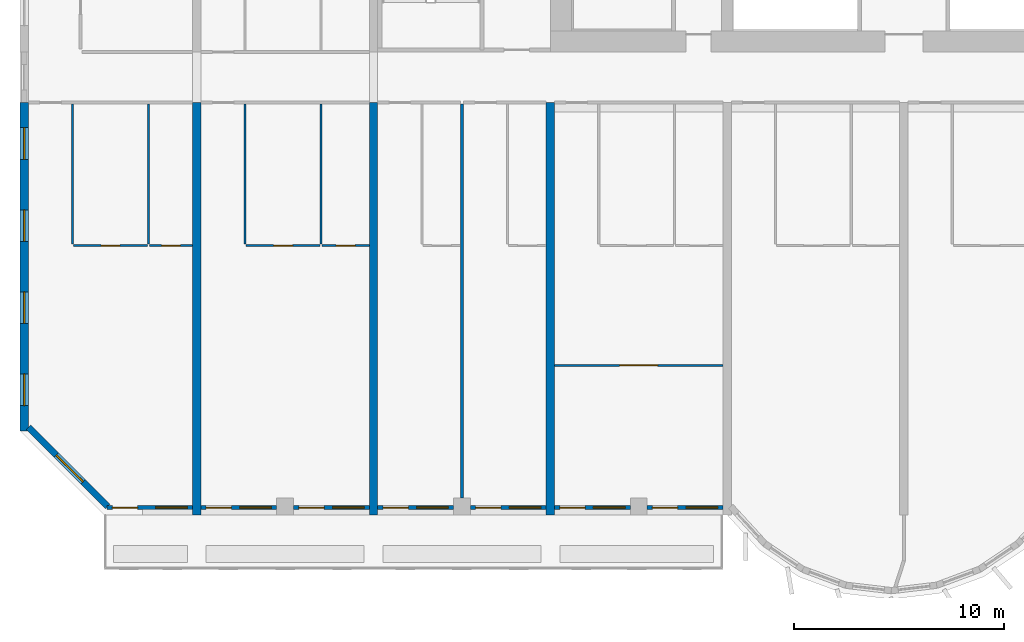
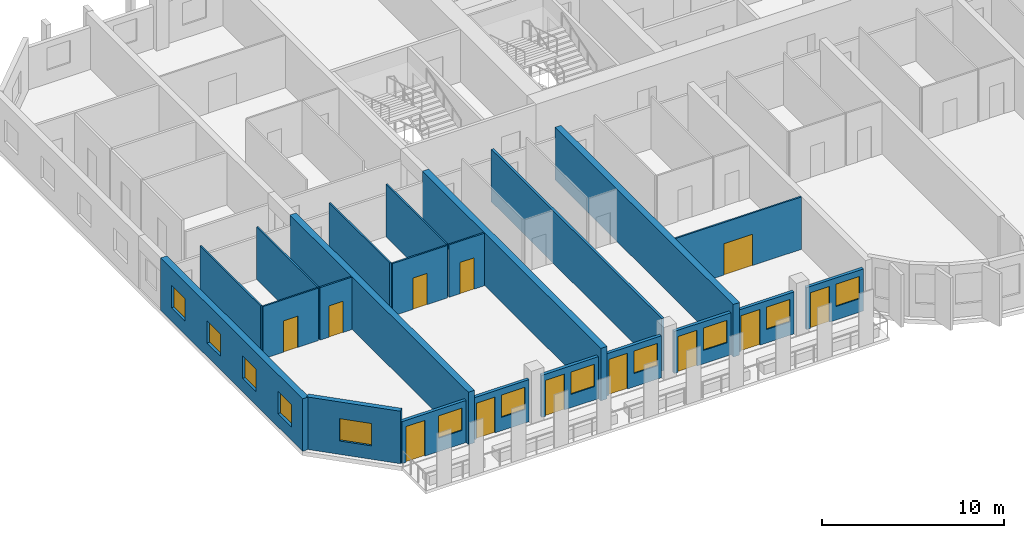
# One storey, part 2 of 15: 22 walls, 12 doors, 12 windows, 24 openings.
"""IFC4 building model written with IfcOpenShell, lengths in metres."""

from ifc_helpers import new_model, si_unit, direction, frame, frame_2d, origin, place, context, subcontext, project, spatial, rectangle, extrude, source, transform, mapped, material, layer, layer_set, type_object, element, fill, save


model = new_model("IFC4")

# Units and contexts
model_context = context("Model", 3, precision=1e-05, world=origin(), true_north=direction((0.0, 1.0)))
body_context = subcontext(model_context, "Body", "Model", "MODEL_VIEW")
ifc_project = project(units=[si_unit("LENGTHUNIT", "METRE"), si_unit("AREAUNIT", "SQUARE_METRE"), si_unit("VOLUMEUNIT", "CUBIC_METRE"), si_unit("PLANEANGLEUNIT", "RADIAN"), si_unit("MASSUNIT", "GRAM", prefix="KILO")], contexts=[model_context])

# Site, building, storey
site_placement = place(None, origin())
site = spatial("IfcSite", under=ifc_project, at=site_placement, CompositionType="ELEMENT")
building_placement = place(site_placement, origin())
building = spatial("IfcBuilding", under=site, at=building_placement, Name="Vanashikhar Sky Hotel", CompositionType="ELEMENT")
storey_placement = place(building_placement, frame((0.0, 0.0, 62.0)))
storey = spatial("IfcBuildingStorey", under=building, at=storey_placement, Name="L14", CompositionType="ELEMENT", Elevation=62.0)

# Wall, openings, windows
ifc_material_1 = material(Name="Concrete M80", Category="concrete")
ifc_layer_1 = layer(ifc_material_1, 0.39990234375)
ifc_layer_set_1 = layer_set([ifc_layer_1], Name="RC shear wall 400 Concrete M80")
wall_type_1 = type_object("IfcWallType", Name="RC shear wall 400 Concrete M80", PredefinedType="SHEAR", material=ifc_layer_set_1)
shared_shape_1 = source(origin(), body_context, "Body", "SweptSolid", [
    extrude(rectangle(XDim=15.60009765625, YDim=0.39990234375, at=frame_2d((7.800048828125, 0.0))), origin(), (0.0, 0.0, 1.0), 3.52001953125),
])
wall_1_placement = place(storey_placement, frame((0.199951171875, 4.0, 0.0), z_axis=(0.0, 0.0, 1.0), x_axis=(0.0, 1.0, 0.0)))
wall_1 = element("IfcWall", 1, at=wall_1_placement, inside=storey, type_object=wall_type_1, Name="CW-L14-XW01-1", PredefinedType="SHEAR", context=body_context, shape_type="MappedRepresentation", body=[
    mapped(shared_shape_1, transform((0.0, 0.0, 0.0), scale=1.0)),
])
shared_shape_2 = source(origin(), body_context, "Body", "SweptSolid", [
    extrude(rectangle(XDim=1.5, YDim=1.5, at=frame_2d((0.75, 0.75))), frame((0.0, 0.2099609375, 0.0), z_axis=(0.0, -1.0, 0.0), x_axis=(1.0, 0.0, 0.0)), (0.0, 0.0, 1.0), 0.419921875),
])
opening_1_placement = place(wall_1_placement, frame((1.199951171875, 0.0, 0.89990234375)))
opening_1 = element("IfcOpeningElement", 2, at=opening_1_placement, cuts=wall_1, Name="Opening WN-1", PredefinedType="OPENING", context=body_context, shape_type="MappedRepresentation", body=[
    mapped(shared_shape_2, transform((0.0, 0.0, 0.0), scale=1.0)),
])
opening_2_placement = place(wall_1_placement, frame((5.10009765625, 0.0, 0.89990234375)))
opening_2 = element("IfcOpeningElement", 3, at=opening_2_placement, cuts=wall_1, Name="Opening WN-1", PredefinedType="OPENING", context=body_context, shape_type="MappedRepresentation", body=[
    mapped(shared_shape_2, transform((0.0, 0.0, 0.0), scale=1.0)),
])
opening_3_placement = place(wall_1_placement, frame((9.0, 0.0, 0.89990234375)))
opening_3 = element("IfcOpeningElement", 4, at=opening_3_placement, cuts=wall_1, Name="Opening WN-1", PredefinedType="OPENING", context=body_context, shape_type="MappedRepresentation", body=[
    mapped(shared_shape_2, transform((0.0, 0.0, 0.0), scale=1.0)),
])
opening_4_placement = place(wall_1_placement, frame((12.89990234375, 0.0, 0.89990234375)))
opening_4 = element("IfcOpeningElement", 5, at=opening_4_placement, cuts=wall_1, Name="Opening WN-1", PredefinedType="OPENING", context=body_context, shape_type="MappedRepresentation", body=[
    mapped(shared_shape_2, transform((0.0, 0.0, 0.0), scale=1.0)),
])
ifc_material_2 = material(Name="Glass", Category="glass")
window_type_1 = type_object("IfcWindowType", Name="Window 1500 x 1500", PartitioningType="SINGLE_PANEL", PredefinedType="WINDOW", material=ifc_material_2)
shared_shape_3 = source(origin(), body_context, "Body", "SweptSolid", [
    extrude(rectangle(XDim=1.5, YDim=1.5, at=frame_2d((0.75, 0.75))), frame((0.0, 0.030029296875, 0.0), z_axis=(0.0, -1.0, 0.0), x_axis=(1.0, 0.0, 0.0)), (0.0, 0.0, 1.0), 0.06005859375),
])
window_1_placement = place(opening_1_placement, origin())
window_1 = element("IfcWindow", 6, at=window_1_placement, inside=storey, type_object=window_type_1, Name="Window WN-1", OverallHeight=1.5, OverallWidth=1.5, PartitioningType="SINGLE_PANEL", PredefinedType="WINDOW", context=body_context, shape_type="MappedRepresentation", body=[
    mapped(shared_shape_3, transform((0.0, 0.0, 0.0), scale=1.0)),
])
fill(opening_1, window_1)
window_2_placement = place(opening_2_placement, origin())
window_2 = element("IfcWindow", 7, at=window_2_placement, inside=storey, type_object=window_type_1, Name="Window WN-1", OverallHeight=1.5, OverallWidth=1.5, PartitioningType="SINGLE_PANEL", PredefinedType="WINDOW", context=body_context, shape_type="MappedRepresentation", body=[
    mapped(shared_shape_3, transform((0.0, 0.0, 0.0), scale=1.0)),
])
fill(opening_2, window_2)
window_3_placement = place(opening_3_placement, origin())
window_3 = element("IfcWindow", 8, at=window_3_placement, inside=storey, type_object=window_type_1, Name="Window WN-1", OverallHeight=1.5, OverallWidth=1.5, PartitioningType="SINGLE_PANEL", PredefinedType="WINDOW", context=body_context, shape_type="MappedRepresentation", body=[
    mapped(shared_shape_3, transform((0.0, 0.0, 0.0), scale=1.0)),
])
fill(opening_3, window_3)
window_4_placement = place(opening_4_placement, origin())
window_4 = element("IfcWindow", 9, at=window_4_placement, inside=storey, type_object=window_type_1, Name="Window WN-1", OverallHeight=1.5, OverallWidth=1.5, PartitioningType="SINGLE_PANEL", PredefinedType="WINDOW", context=body_context, shape_type="MappedRepresentation", body=[
    mapped(shared_shape_3, transform((0.0, 0.0, 0.0), scale=1.0)),
])
fill(opening_4, window_4)

# Walls
shared_shape_4 = source(origin(), body_context, "Body", "SweptSolid", [
    extrude(rectangle(XDim=19.60009765625, YDim=0.39990234375, at=frame_2d((9.800048828125, 0.0))), origin(), (0.0, 0.0, 1.0), 3.52001953125),
])
for number, where, z_axis, x_axis, name in (
    (10, (8.39990234375, 0.0, 0.0), (0.0, 0.0, 1.0), (0.0, 1.0, 0.0), "CW-L14-XW02-1"),
    (11, (16.800048828125, 0.0, 0.0), (0.0, 0.0, 1.0), (0.0, 1.0, 0.0), "CW-L14-XW03-1"),
    (12, (25.199951171875, 0.0, 0.0), (0.0, 0.0, 1.0), (0.0, 1.0, 0.0), "CW-L14-XW04-1"),
):
    element("IfcWall", number, at=place(storey_placement, frame(where, z_axis=z_axis, x_axis=x_axis)), inside=storey, type_object=wall_type_1, Name=name, PredefinedType="SHEAR", context=body_context, shape_type="MappedRepresentation", body=[
        mapped(shared_shape_4, transform((0.0, 0.0, 0.0), scale=1.0)),
    ])

# Wall, opening, window
ifc_material_3 = material(Name="Concrete M50", Category="concrete")
ifc_layer_2 = layer(ifc_material_3, 0.300048828125)
ifc_layer_set_2 = layer_set([ifc_layer_2], Name="Lobe wall 300")
wall_type_2 = type_object("IfcWallType", Name="Lobe wall 300", PredefinedType="SOLIDWALL", material=ifc_layer_set_2)
shared_shape_5 = source(origin(), body_context, "Body", "SweptSolid", [
    extrude(rectangle(XDim=5.32568359375, YDim=0.300048828125, at=frame_2d((2.662841796875, 0.0))), origin(), (0.0, 0.0, 1.0), 3.52001953125),
])
wall_2_placement = place(storey_placement, frame((0.39990234375, 4.165771484375, 0.0), z_axis=(0.0, 0.0, 1.0), x_axis=(0.707106781187, -0.707106781187, 0.0)))
wall_2 = element("IfcWall", 13, at=wall_2_placement, inside=storey, type_object=wall_type_2, Name="Corner wall", PredefinedType="SOLIDWALL", context=body_context, shape_type="MappedRepresentation", body=[
    mapped(shared_shape_5, transform((0.0, 0.0, 0.0), scale=1.0)),
])
shared_shape_6 = source(origin(), body_context, "Body", "SweptSolid", [
    extrude(rectangle(XDim=1.800048828125, YDim=1.5, at=frame_2d((0.89990234375, 0.75))), frame((0.0, 0.16015625, 0.0), z_axis=(0.0, -1.0, 0.0), x_axis=(1.0, 0.0, 0.0)), (0.0, 0.0, 1.0), 0.320068359375),
])
opening_5_placement = place(wall_2_placement, frame((1.871337890625, 0.0, 0.89990234375)))
opening_5 = element("IfcOpeningElement", 14, at=opening_5_placement, cuts=wall_2, Name="Opening WN-4", PredefinedType="OPENING", context=body_context, shape_type="MappedRepresentation", body=[
    mapped(shared_shape_6, transform((0.0, 0.0, 0.0), scale=1.0)),
])
window_type_2 = type_object("IfcWindowType", Name="Corner window 1800 x 1500", PartitioningType="SINGLE_PANEL", PredefinedType="WINDOW", material=ifc_material_2)
shared_shape_7 = source(origin(), body_context, "Body", "SweptSolid", [
    extrude(rectangle(XDim=1.800048828125, YDim=1.5, at=frame_2d((0.89990234375, 0.75))), frame((0.0, 0.030029296875, 0.0), z_axis=(0.0, -1.0, 0.0), x_axis=(1.0, 0.0, 0.0)), (0.0, 0.0, 1.0), 0.06005859375),
])
window_5_placement = place(opening_5_placement, origin())
window_5 = element("IfcWindow", 15, at=window_5_placement, inside=storey, type_object=window_type_2, Name="Window WN-4", OverallHeight=1.5, OverallWidth=1.800048828125, PartitioningType="SINGLE_PANEL", PredefinedType="WINDOW", context=body_context, shape_type="MappedRepresentation", body=[
    mapped(shared_shape_7, transform((0.0, 0.0, 0.0), scale=1.0)),
])
fill(opening_5, window_5)

# Wall, openings, window, door
ifc_layer_3 = layer(ifc_material_3, 0.199951171875)
ifc_layer_set_3 = layer_set([ifc_layer_3], Name="Front window wall 200")
wall_type_3 = type_object("IfcWallType", Name="Front window wall 200", PredefinedType="SOLIDWALL", material=ifc_layer_set_3)
shared_shape_8 = source(origin(), body_context, "Body", "SweptSolid", [
    extrude(rectangle(XDim=4.054931640625, YDim=0.199951171875, at=frame_2d((2.02734375, 0.0))), origin(), (0.0, 0.0, 1.0), 2.820068359375),
])
wall_3_placement = place(storey_placement, frame((4.14501953125, 0.35009765625, 0.0), z_axis=(0.0, 0.0, 1.0), x_axis=(1.0, 0.0, 0.0)))
wall_3 = element("IfcWall", 16, at=wall_3_placement, inside=storey, type_object=wall_type_3, Name="Front window wall", PredefinedType="SOLIDWALL", context=body_context, shape_type="MappedRepresentation", body=[
    mapped(shared_shape_8, transform((0.0, 0.0, 0.0), scale=1.0)),
])
shared_shape_9 = source(origin(), body_context, "Body", "SweptSolid", [
    extrude(rectangle(XDim=1.199951171875, YDim=2.39990234375, at=frame_2d((0.60009765625, 1.199951171875))), frame((0.0, 0.10986328125, 0.0), z_axis=(0.0, -1.0, 0.0), x_axis=(1.0, 0.0, 0.0)), (0.0, 0.0, 1.0), 0.219970703125),
])
opening_6_placement = place(wall_3_placement, frame((0.25, 0.0, 0.0)))
opening_6 = element("IfcOpeningElement", 17, at=opening_6_placement, cuts=wall_3, Name="Opening BD-01", PredefinedType="OPENING", context=body_context, shape_type="MappedRepresentation", body=[
    mapped(shared_shape_9, transform((0.0, 0.0, 0.0), scale=1.0)),
])
shared_shape_10 = source(origin(), body_context, "Body", "SweptSolid", [
    extrude(rectangle(XDim=1.5, YDim=1.5, at=frame_2d((0.75, 0.75))), frame((0.0, 0.10986328125, 0.0), z_axis=(0.0, -1.0, 0.0), x_axis=(1.0, 0.0, 0.0)), (0.0, 0.0, 1.0), 0.219970703125),
])
opening_7_placement = place(wall_3_placement, frame((2.304931640625, 0.0, 0.89990234375)))
opening_7 = element("IfcOpeningElement", 18, at=opening_7_placement, cuts=wall_3, Name="Opening WN-1", PredefinedType="OPENING", context=body_context, shape_type="MappedRepresentation", body=[
    mapped(shared_shape_10, transform((0.0, 0.0, 0.0), scale=1.0)),
])
window_6_placement = place(opening_7_placement, origin())
window_6 = element("IfcWindow", 19, at=window_6_placement, inside=storey, type_object=window_type_1, Name="Window WN-1", OverallHeight=1.5, OverallWidth=1.5, PartitioningType="SINGLE_PANEL", PredefinedType="WINDOW", context=body_context, shape_type="MappedRepresentation", body=[
    mapped(shared_shape_3, transform((0.0, 0.0, 0.0), scale=1.0)),
])
fill(opening_7, window_6)
ifc_material_4 = material(Name="Aluminium", Category="aluminium")
door_type_1 = type_object("IfcDoorType", Name="Balcony sliding door 1200 x 2400", OperationType="NOTDEFINED", PredefinedType="DOOR", material=ifc_material_4)
shared_shape_11 = source(origin(), body_context, "Body", "SweptSolid", [
    extrude(rectangle(XDim=1.199951171875, YDim=2.39990234375, at=frame_2d((0.60009765625, 1.199951171875))), frame((0.0, 0.02490234375, 0.0), z_axis=(0.0, -1.0, 0.0), x_axis=(1.0, 0.0, 0.0)), (0.0, 0.0, 1.0), 0.050048828125),
])
door_1_placement = place(opening_6_placement, origin())
door_1 = element("IfcDoor", 20, at=door_1_placement, inside=storey, type_object=door_type_1, Name="Balcony sliding door", OperationType="SLIDING_TO_LEFT", OverallHeight=2.39990234375, OverallWidth=1.199951171875, PredefinedType="DOOR", context=body_context, shape_type="MappedRepresentation", body=[
    mapped(shared_shape_11, transform((0.0, 0.0, 0.0), scale=1.0)),
])
fill(opening_6, door_1)

shared_shape_12 = source(origin(), body_context, "Body", "SweptSolid", [
    extrude(rectangle(XDim=3.599853515625, YDim=0.199951171875, at=frame_2d((1.7998046875, 0.0))), origin(), (0.0, 0.0, 1.0), 2.820068359375),
])
wall_4_placement = place(storey_placement, frame((8.60009765625, 0.35009765625, 0.0), z_axis=(0.0, 0.0, 1.0), x_axis=(1.0, 0.0, 0.0)))
wall_4 = element("IfcWall", 21, at=wall_4_placement, inside=storey, type_object=wall_type_3, Name="Front window wall", PredefinedType="SOLIDWALL", context=body_context, shape_type="MappedRepresentation", body=[
    mapped(shared_shape_12, transform((0.0, 0.0, 0.0), scale=1.0)),
])
opening_8_placement = place(wall_4_placement, frame((0.25, 0.0, 0.0)))
opening_8 = element("IfcOpeningElement", 22, at=opening_8_placement, cuts=wall_4, Name="Opening BD-02", PredefinedType="OPENING", context=body_context, shape_type="MappedRepresentation", body=[
    mapped(shared_shape_9, transform((0.0, 0.0, 0.0), scale=1.0)),
])
opening_9_placement = place(wall_4_placement, frame((1.85009765625, 0.0, 0.89990234375)))
opening_9 = element("IfcOpeningElement", 23, at=opening_9_placement, cuts=wall_4, Name="Opening WN-1", PredefinedType="OPENING", context=body_context, shape_type="MappedRepresentation", body=[
    mapped(shared_shape_10, transform((0.0, 0.0, 0.0), scale=1.0)),
])
window_7_placement = place(opening_9_placement, origin())
window_7 = element("IfcWindow", 24, at=window_7_placement, inside=storey, type_object=window_type_1, Name="Window WN-1", OverallHeight=1.5, OverallWidth=1.5, PartitioningType="SINGLE_PANEL", PredefinedType="WINDOW", context=body_context, shape_type="MappedRepresentation", body=[
    mapped(shared_shape_3, transform((0.0, 0.0, 0.0), scale=1.0)),
])
fill(opening_9, window_7)
door_2_placement = place(opening_8_placement, origin())
door_2 = element("IfcDoor", 25, at=door_2_placement, inside=storey, type_object=door_type_1, Name="Balcony sliding door", OperationType="SLIDING_TO_RIGHT", OverallHeight=2.39990234375, OverallWidth=1.199951171875, PredefinedType="DOOR", context=body_context, shape_type="MappedRepresentation", body=[
    mapped(shared_shape_11, transform((0.0, 0.0, 0.0), scale=1.0)),
])
fill(opening_8, door_2)

wall_5_placement = place(storey_placement, frame((29.800048828125, 0.35009765625, 0.0), z_axis=(0.0, 0.0, 1.0), x_axis=(1.0, 0.0, 0.0)))
wall_5 = element("IfcWall", 26, at=wall_5_placement, inside=storey, type_object=wall_type_3, Name="Front window wall", PredefinedType="SOLIDWALL", context=body_context, shape_type="MappedRepresentation", body=[
    mapped(shared_shape_12, transform((0.0, 0.0, 0.0), scale=1.0)),
])
opening_10_placement = place(wall_5_placement, frame((0.25, 0.0, 0.0)))
opening_10 = element("IfcOpeningElement", 27, at=opening_10_placement, cuts=wall_5, Name="Opening BD-07", PredefinedType="OPENING", context=body_context, shape_type="MappedRepresentation", body=[
    mapped(shared_shape_9, transform((0.0, 0.0, 0.0), scale=1.0)),
])
opening_11_placement = place(wall_5_placement, frame((1.85009765625, 0.0, 0.89990234375)))
opening_11 = element("IfcOpeningElement", 28, at=opening_11_placement, cuts=wall_5, Name="Opening WN-1", PredefinedType="OPENING", context=body_context, shape_type="MappedRepresentation", body=[
    mapped(shared_shape_10, transform((0.0, 0.0, 0.0), scale=1.0)),
])
window_8_placement = place(opening_11_placement, origin())
window_8 = element("IfcWindow", 29, at=window_8_placement, inside=storey, type_object=window_type_1, Name="Window WN-1", OverallHeight=1.5, OverallWidth=1.5, PartitioningType="SINGLE_PANEL", PredefinedType="WINDOW", context=body_context, shape_type="MappedRepresentation", body=[
    mapped(shared_shape_3, transform((0.0, 0.0, 0.0), scale=1.0)),
])
fill(opening_11, window_8)
door_3_placement = place(opening_10_placement, origin())
door_3 = element("IfcDoor", 30, at=door_3_placement, inside=storey, type_object=door_type_1, Name="Balcony sliding door", OperationType="SLIDING_TO_LEFT", OverallHeight=2.39990234375, OverallWidth=1.199951171875, PredefinedType="DOOR", context=body_context, shape_type="MappedRepresentation", body=[
    mapped(shared_shape_11, transform((0.0, 0.0, 0.0), scale=1.0)),
])
fill(opening_10, door_3)

shared_shape_13 = source(origin(), body_context, "Body", "SweptSolid", [
    extrude(rectangle(XDim=3.60009765625, YDim=0.199951171875, at=frame_2d((1.800048828125, 0.0))), origin(), (0.0, 0.0, 1.0), 2.820068359375),
])
wall_6_placement = place(storey_placement, frame((13.0, 0.35009765625, 0.0), z_axis=(0.0, 0.0, 1.0), x_axis=(1.0, 0.0, 0.0)))
wall_6 = element("IfcWall", 31, at=wall_6_placement, inside=storey, type_object=wall_type_3, Name="Front window wall", PredefinedType="SOLIDWALL", context=body_context, shape_type="MappedRepresentation", body=[
    mapped(shared_shape_13, transform((0.0, 0.0, 0.0), scale=1.0)),
])
opening_12_placement = place(wall_6_placement, frame((0.25, 0.0, 0.0)))
opening_12 = element("IfcOpeningElement", 32, at=opening_12_placement, cuts=wall_6, Name="Opening BD-03", PredefinedType="OPENING", context=body_context, shape_type="MappedRepresentation", body=[
    mapped(shared_shape_9, transform((0.0, 0.0, 0.0), scale=1.0)),
])
opening_13_placement = place(wall_6_placement, frame((1.85009765625, 0.0, 0.89990234375)))
opening_13 = element("IfcOpeningElement", 33, at=opening_13_placement, cuts=wall_6, Name="Opening WN-1", PredefinedType="OPENING", context=body_context, shape_type="MappedRepresentation", body=[
    mapped(shared_shape_10, transform((0.0, 0.0, 0.0), scale=1.0)),
])
window_9_placement = place(opening_13_placement, origin())
window_9 = element("IfcWindow", 34, at=window_9_placement, inside=storey, type_object=window_type_1, Name="Window WN-1", OverallHeight=1.5, OverallWidth=1.5, PartitioningType="SINGLE_PANEL", PredefinedType="WINDOW", context=body_context, shape_type="MappedRepresentation", body=[
    mapped(shared_shape_3, transform((0.0, 0.0, 0.0), scale=1.0)),
])
fill(opening_13, window_9)
door_4_placement = place(opening_12_placement, origin())
door_4 = element("IfcDoor", 35, at=door_4_placement, inside=storey, type_object=door_type_1, Name="Balcony sliding door", OperationType="SLIDING_TO_LEFT", OverallHeight=2.39990234375, OverallWidth=1.199951171875, PredefinedType="DOOR", context=body_context, shape_type="MappedRepresentation", body=[
    mapped(shared_shape_11, transform((0.0, 0.0, 0.0), scale=1.0)),
])
fill(opening_12, door_4)

wall_7_placement = place(storey_placement, frame((17.0, 0.35009765625, 0.0), z_axis=(0.0, 0.0, 1.0), x_axis=(1.0, 0.0, 0.0)))
wall_7 = element("IfcWall", 36, at=wall_7_placement, inside=storey, type_object=wall_type_3, Name="Front window wall", PredefinedType="SOLIDWALL", context=body_context, shape_type="MappedRepresentation", body=[
    mapped(shared_shape_13, transform((0.0, 0.0, 0.0), scale=1.0)),
])
opening_14_placement = place(wall_7_placement, frame((0.25, 0.0, 0.0)))
opening_14 = element("IfcOpeningElement", 37, at=opening_14_placement, cuts=wall_7, Name="Opening BD-04", PredefinedType="OPENING", context=body_context, shape_type="MappedRepresentation", body=[
    mapped(shared_shape_9, transform((0.0, 0.0, 0.0), scale=1.0)),
])
opening_15_placement = place(wall_7_placement, frame((1.85009765625, 0.0, 0.89990234375)))
opening_15 = element("IfcOpeningElement", 38, at=opening_15_placement, cuts=wall_7, Name="Opening WN-1", PredefinedType="OPENING", context=body_context, shape_type="MappedRepresentation", body=[
    mapped(shared_shape_10, transform((0.0, 0.0, 0.0), scale=1.0)),
])
window_10_placement = place(opening_15_placement, origin())
window_10 = element("IfcWindow", 39, at=window_10_placement, inside=storey, type_object=window_type_1, Name="Window WN-1", OverallHeight=1.5, OverallWidth=1.5, PartitioningType="SINGLE_PANEL", PredefinedType="WINDOW", context=body_context, shape_type="MappedRepresentation", body=[
    mapped(shared_shape_3, transform((0.0, 0.0, 0.0), scale=1.0)),
])
fill(opening_15, window_10)
door_5_placement = place(opening_14_placement, origin())
door_5 = element("IfcDoor", 40, at=door_5_placement, inside=storey, type_object=door_type_1, Name="Balcony sliding door", OperationType="SLIDING_TO_RIGHT", OverallHeight=2.39990234375, OverallWidth=1.199951171875, PredefinedType="DOOR", context=body_context, shape_type="MappedRepresentation", body=[
    mapped(shared_shape_11, transform((0.0, 0.0, 0.0), scale=1.0)),
])
fill(opening_14, door_5)

wall_8_placement = place(storey_placement, frame((21.39990234375, 0.35009765625, 0.0), z_axis=(0.0, 0.0, 1.0), x_axis=(1.0, 0.0, 0.0)))
wall_8 = element("IfcWall", 41, at=wall_8_placement, inside=storey, type_object=wall_type_3, Name="Front window wall", PredefinedType="SOLIDWALL", context=body_context, shape_type="MappedRepresentation", body=[
    mapped(shared_shape_13, transform((0.0, 0.0, 0.0), scale=1.0)),
])
opening_16_placement = place(wall_8_placement, frame((0.25, 0.0, 0.0)))
opening_16 = element("IfcOpeningElement", 42, at=opening_16_placement, cuts=wall_8, Name="Opening BD-05", PredefinedType="OPENING", context=body_context, shape_type="MappedRepresentation", body=[
    mapped(shared_shape_9, transform((0.0, 0.0, 0.0), scale=1.0)),
])
opening_17_placement = place(wall_8_placement, frame((1.85009765625, 0.0, 0.89990234375)))
opening_17 = element("IfcOpeningElement", 43, at=opening_17_placement, cuts=wall_8, Name="Opening WN-1", PredefinedType="OPENING", context=body_context, shape_type="MappedRepresentation", body=[
    mapped(shared_shape_10, transform((0.0, 0.0, 0.0), scale=1.0)),
])
window_11_placement = place(opening_17_placement, origin())
window_11 = element("IfcWindow", 44, at=window_11_placement, inside=storey, type_object=window_type_1, Name="Window WN-1", OverallHeight=1.5, OverallWidth=1.5, PartitioningType="SINGLE_PANEL", PredefinedType="WINDOW", context=body_context, shape_type="MappedRepresentation", body=[
    mapped(shared_shape_3, transform((0.0, 0.0, 0.0), scale=1.0)),
])
fill(opening_17, window_11)
door_6_placement = place(opening_16_placement, origin())
door_6 = element("IfcDoor", 45, at=door_6_placement, inside=storey, type_object=door_type_1, Name="Balcony sliding door", OperationType="SLIDING_TO_LEFT", OverallHeight=2.39990234375, OverallWidth=1.199951171875, PredefinedType="DOOR", context=body_context, shape_type="MappedRepresentation", body=[
    mapped(shared_shape_11, transform((0.0, 0.0, 0.0), scale=1.0)),
])
fill(opening_16, door_6)

wall_9_placement = place(storey_placement, frame((25.39990234375, 0.35009765625, 0.0), z_axis=(0.0, 0.0, 1.0), x_axis=(1.0, 0.0, 0.0)))
wall_9 = element("IfcWall", 46, at=wall_9_placement, inside=storey, type_object=wall_type_3, Name="Front window wall", PredefinedType="SOLIDWALL", context=body_context, shape_type="MappedRepresentation", body=[
    mapped(shared_shape_13, transform((0.0, 0.0, 0.0), scale=1.0)),
])
opening_18_placement = place(wall_9_placement, frame((0.25, 0.0, 0.0)))
opening_18 = element("IfcOpeningElement", 47, at=opening_18_placement, cuts=wall_9, Name="Opening BD-06", PredefinedType="OPENING", context=body_context, shape_type="MappedRepresentation", body=[
    mapped(shared_shape_9, transform((0.0, 0.0, 0.0), scale=1.0)),
])
opening_19_placement = place(wall_9_placement, frame((1.85009765625, 0.0, 0.89990234375)))
opening_19 = element("IfcOpeningElement", 48, at=opening_19_placement, cuts=wall_9, Name="Opening WN-1", PredefinedType="OPENING", context=body_context, shape_type="MappedRepresentation", body=[
    mapped(shared_shape_10, transform((0.0, 0.0, 0.0), scale=1.0)),
])
window_12_placement = place(opening_19_placement, origin())
window_12 = element("IfcWindow", 49, at=window_12_placement, inside=storey, type_object=window_type_1, Name="Window WN-1", OverallHeight=1.5, OverallWidth=1.5, PartitioningType="SINGLE_PANEL", PredefinedType="WINDOW", context=body_context, shape_type="MappedRepresentation", body=[
    mapped(shared_shape_3, transform((0.0, 0.0, 0.0), scale=1.0)),
])
fill(opening_19, window_12)
door_7_placement = place(opening_18_placement, origin())
door_7 = element("IfcDoor", 50, at=door_7_placement, inside=storey, type_object=door_type_1, Name="Balcony sliding door", OperationType="SLIDING_TO_RIGHT", OverallHeight=2.39990234375, OverallWidth=1.199951171875, PredefinedType="DOOR", context=body_context, shape_type="MappedRepresentation", body=[
    mapped(shared_shape_11, transform((0.0, 0.0, 0.0), scale=1.0)),
])
fill(opening_18, door_7)

# Wall, opening, door
ifc_material_5 = material(Name="Gypsum plasterboard partition")
ifc_layer_4 = layer(ifc_material_5, 0.10009765625)
ifc_layer_set_4 = layer_set([ifc_layer_4], Name="Wet room partition 100")
wall_type_4 = type_object("IfcWallType", Name="Wet room partition 100", PredefinedType="PARTITIONING", material=ifc_layer_set_4)
shared_shape_14 = source(origin(), body_context, "Body", "SweptSolid", [
    extrude(rectangle(XDim=2.050048828125, YDim=0.10009765625, at=frame_2d((1.02490234375, 0.0))), origin(), (0.0, 0.0, 1.0), 3.52001953125),
])
wall_10_placement = place(storey_placement, frame((6.14990234375, 12.800048828125, 0.0), z_axis=(0.0, 0.0, 1.0), x_axis=(1.0, 0.0, 0.0)))
wall_10 = element("IfcWall", 51, at=wall_10_placement, inside=storey, type_object=wall_type_4, Name="W-L14-PW004", PredefinedType="PARTITIONING", context=body_context, shape_type="MappedRepresentation", body=[
    mapped(shared_shape_14, transform((0.0, 0.0, 0.0), scale=1.0)),
])
shared_shape_15 = source(origin(), body_context, "Body", "SweptSolid", [
    extrude(rectangle(XDim=0.89990234375, YDim=2.10009765625, at=frame_2d((0.449951171875, 1.050048828125))), frame((0.0, 0.06005859375, 0.0), z_axis=(0.0, -1.0, 0.0), x_axis=(1.0, 0.0, 0.0)), (0.0, 0.0, 1.0), 0.1201171875),
])
opening_20_placement = place(wall_10_placement, frame((0.574951171875, 0.0, 0.0)))
opening_20 = element("IfcOpeningElement", 52, at=opening_20_placement, cuts=wall_10, Name="Opening D-02", PredefinedType="OPENING", context=body_context, shape_type="MappedRepresentation", body=[
    mapped(shared_shape_15, transform((0.0, 0.0, 0.0), scale=1.0)),
])
ifc_material_6 = material(Name="Timber door", Category="wood")
door_type_2 = type_object("IfcDoorType", Name="Internal door 900", OperationType="NOTDEFINED", PredefinedType="DOOR", material=ifc_material_6)
shared_shape_16 = source(origin(), body_context, "Body", "SweptSolid", [
    extrude(rectangle(XDim=0.89990234375, YDim=2.10009765625, at=frame_2d((0.449951171875, 1.050048828125))), frame((0.0, 0.02490234375, 0.0), z_axis=(0.0, -1.0, 0.0), x_axis=(1.0, 0.0, 0.0)), (0.0, 0.0, 1.0), 0.050048828125),
])
door_8_placement = place(opening_20_placement, origin())
door_8 = element("IfcDoor", 53, at=door_8_placement, inside=storey, type_object=door_type_2, Name="D-L14-002", OperationType="SINGLE_SWING_LEFT", OverallHeight=2.10009765625, OverallWidth=0.89990234375, PredefinedType="DOOR", context=body_context, shape_type="MappedRepresentation", body=[
    mapped(shared_shape_16, transform((0.0, 0.0, 0.0), scale=1.0)),
])
fill(opening_20, door_8)

shared_shape_17 = source(origin(), body_context, "Body", "SweptSolid", [
    extrude(rectangle(XDim=3.5, YDim=0.10009765625, at=frame_2d((1.75, 0.0))), origin(), (0.0, 0.0, 1.0), 3.52001953125),
])
wall_11_placement = place(storey_placement, frame((2.550048828125, 12.800048828125, 0.0), z_axis=(0.0, 0.0, 1.0), x_axis=(1.0, 0.0, 0.0)))
wall_11 = element("IfcWall", 54, at=wall_11_placement, inside=storey, type_object=wall_type_4, Name="W-L14-PW003", PredefinedType="PARTITIONING", context=body_context, shape_type="MappedRepresentation", body=[
    mapped(shared_shape_17, transform((0.0, 0.0, 0.0), scale=1.0)),
])
opening_21_placement = place(wall_11_placement, frame((1.300048828125, 0.0, 0.0)))
opening_21 = element("IfcOpeningElement", 55, at=opening_21_placement, cuts=wall_11, Name="Opening D-02", PredefinedType="OPENING", context=body_context, shape_type="MappedRepresentation", body=[
    mapped(shared_shape_15, transform((0.0, 0.0, 0.0), scale=1.0)),
])
door_9_placement = place(opening_21_placement, origin())
door_9 = element("IfcDoor", 56, at=door_9_placement, inside=storey, type_object=door_type_2, Name="D-L14-001", OperationType="SINGLE_SWING_LEFT", OverallHeight=2.10009765625, OverallWidth=0.89990234375, PredefinedType="DOOR", context=body_context, shape_type="MappedRepresentation", body=[
    mapped(shared_shape_16, transform((0.0, 0.0, 0.0), scale=1.0)),
])
fill(opening_21, door_9)

wall_12_placement = place(storey_placement, frame((10.75, 12.800048828125, 0.0), z_axis=(0.0, 0.0, 1.0), x_axis=(1.0, 0.0, 0.0)))
wall_12 = element("IfcWall", 57, at=wall_12_placement, inside=storey, type_object=wall_type_4, Name="W-L14-PW008", PredefinedType="PARTITIONING", context=body_context, shape_type="MappedRepresentation", body=[
    mapped(shared_shape_17, transform((0.0, 0.0, 0.0), scale=1.0)),
])
opening_22_placement = place(wall_12_placement, frame((1.300048828125, 0.0, 0.0)))
opening_22 = element("IfcOpeningElement", 58, at=opening_22_placement, cuts=wall_12, Name="Opening D-02", PredefinedType="OPENING", context=body_context, shape_type="MappedRepresentation", body=[
    mapped(shared_shape_15, transform((0.0, 0.0, 0.0), scale=1.0)),
])
door_10_placement = place(opening_22_placement, origin())
door_10 = element("IfcDoor", 59, at=door_10_placement, inside=storey, type_object=door_type_2, Name="D-L14-004", OperationType="SINGLE_SWING_LEFT", OverallHeight=2.10009765625, OverallWidth=0.89990234375, PredefinedType="DOOR", context=body_context, shape_type="MappedRepresentation", body=[
    mapped(shared_shape_16, transform((0.0, 0.0, 0.0), scale=1.0)),
])
fill(opening_22, door_10)

# Wall
ifc_layer_5 = layer(ifc_material_5, 0.14990234375)
ifc_layer_set_5 = layer_set([ifc_layer_5], Name="Corridor and demising partition 150")
wall_type_5 = type_object("IfcWallType", Name="Corridor and demising partition 150", PredefinedType="PARTITIONING", material=ifc_layer_set_5)
shared_shape_18 = source(origin(), body_context, "Body", "SweptSolid", [
    extrude(rectangle(XDim=18.724853515625, YDim=0.14990234375, at=frame_2d((9.3623046875, 0.0))), origin(), (0.0, 0.0, 1.0), 3.52001953125),
])
wall_13_placement = place(storey_placement, frame((21.0, 0.800048828125, 0.0), z_axis=(0.0, 0.0, 1.0), x_axis=(0.0, 1.0, 0.0)))
element("IfcWall", 60, at=wall_13_placement, inside=storey, type_object=wall_type_5, Name="W-L14-PW017", PredefinedType="PARTITIONING", context=body_context, shape_type="MappedRepresentation", body=[
    mapped(shared_shape_18, transform((0.0, 0.0, 0.0), scale=1.0)),
])

# Wall, opening, door
shared_shape_19 = source(origin(), body_context, "Body", "SweptSolid", [
    extrude(rectangle(XDim=8.0, YDim=0.10009765625, at=frame_2d((4.0, 0.0))), origin(), (0.0, 0.0, 1.0), 3.52001953125),
])
wall_14_placement = place(storey_placement, frame((25.39990234375, 7.10791015625, 0.0), z_axis=(0.0, 0.0, 1.0), x_axis=(1.0, 0.0, 0.0)))
wall_14 = element("IfcWall", 61, at=wall_14_placement, inside=storey, type_object=wall_type_4, Name="W-L14-PW022", PredefinedType="PARTITIONING", context=body_context, shape_type="MappedRepresentation", body=[
    mapped(shared_shape_19, transform((0.0, 0.0, 0.0), scale=1.0)),
])
shared_shape_20 = source(origin(), body_context, "Body", "SweptSolid", [
    extrude(rectangle(XDim=1.800048828125, YDim=2.10009765625, at=frame_2d((0.89990234375, 1.050048828125))), frame((0.0, 0.06005859375, 0.0), z_axis=(0.0, -1.0, 0.0), x_axis=(1.0, 0.0, 0.0)), (0.0, 0.0, 1.0), 0.1201171875),
])
opening_23_placement = place(wall_14_placement, frame((3.10009765625, 0.0, 0.0)))
opening_23 = element("IfcOpeningElement", 62, at=opening_23_placement, cuts=wall_14, Name="Opening D-08", PredefinedType="OPENING", context=body_context, shape_type="MappedRepresentation", body=[
    mapped(shared_shape_20, transform((0.0, 0.0, 0.0), scale=1.0)),
])
door_type_3 = type_object("IfcDoorType", Name="Double leaf door 1800", OperationType="NOTDEFINED", PredefinedType="DOOR", material=ifc_material_6)
shared_shape_21 = source(origin(), body_context, "Body", "SweptSolid", [
    extrude(rectangle(XDim=1.800048828125, YDim=2.10009765625, at=frame_2d((0.89990234375, 1.050048828125))), frame((0.0, 0.02490234375, 0.0), z_axis=(0.0, -1.0, 0.0), x_axis=(1.0, 0.0, 0.0)), (0.0, 0.0, 1.0), 0.050048828125),
])
door_11_placement = place(opening_23_placement, origin())
door_11 = element("IfcDoor", 63, at=door_11_placement, inside=storey, type_object=door_type_3, Name="D-L14-013", OperationType="DOUBLE_DOOR_SINGLE_SWING", OverallHeight=2.10009765625, OverallWidth=1.800048828125, PredefinedType="DOOR", context=body_context, shape_type="MappedRepresentation", body=[
    mapped(shared_shape_21, transform((0.0, 0.0, 0.0), scale=1.0)),
])
fill(opening_23, door_11)

# Walls
shared_shape_22 = source(origin(), body_context, "Body", "SweptSolid", [
    extrude(rectangle(XDim=6.64990234375, YDim=0.10009765625, at=frame_2d((3.324951171875, 0.0))), origin(), (0.0, 0.0, 1.0), 3.52001953125),
])
for number, where, z_axis, x_axis, name in (
    (64, (2.5, 12.875, 0.0), (0.0, 0.0, 1.0), (0.0, 1.0, 0.0), "W-L14-PW001"),
    (65, (6.10009765625, 12.875, 0.0), (0.0, 0.0, 1.0), (0.0, 1.0, 0.0), "W-L14-PW002"),
    (66, (10.699951171875, 12.875, 0.0), (0.0, 0.0, 1.0), (0.0, 1.0, 0.0), "W-L14-PW006"),
    (67, (14.300048828125, 12.875, 0.0), (0.0, 0.0, 1.0), (0.0, 1.0, 0.0), "W-L14-PW007"),
):
    element("IfcWall", number, at=place(storey_placement, frame(where, z_axis=z_axis, x_axis=x_axis)), inside=storey, type_object=wall_type_4, Name=name, PredefinedType="PARTITIONING", context=body_context, shape_type="MappedRepresentation", body=[
        mapped(shared_shape_22, transform((0.0, 0.0, 0.0), scale=1.0)),
    ])

# Wall, opening, door
shared_shape_23 = source(origin(), body_context, "Body", "SweptSolid", [
    extrude(rectangle(XDim=2.25, YDim=0.10009765625, at=frame_2d((1.125, 0.0))), origin(), (0.0, 0.0, 1.0), 3.52001953125),
])
wall_15_placement = place(storey_placement, frame((14.35009765625, 12.800048828125, 0.0), z_axis=(0.0, 0.0, 1.0), x_axis=(1.0, 0.0, 0.0)))
wall_15 = element("IfcWall", 68, at=wall_15_placement, inside=storey, type_object=wall_type_4, Name="W-L14-PW009", PredefinedType="PARTITIONING", context=body_context, shape_type="MappedRepresentation", body=[
    mapped(shared_shape_23, transform((0.0, 0.0, 0.0), scale=1.0)),
])
opening_24_placement = place(wall_15_placement, frame((0.675048828125, 0.0, 0.0)))
opening_24 = element("IfcOpeningElement", 69, at=opening_24_placement, cuts=wall_15, Name="Opening D-02", PredefinedType="OPENING", context=body_context, shape_type="MappedRepresentation", body=[
    mapped(shared_shape_15, transform((0.0, 0.0, 0.0), scale=1.0)),
])
door_12_placement = place(opening_24_placement, origin())
door_12 = element("IfcDoor", 70, at=door_12_placement, inside=storey, type_object=door_type_2, Name="D-L14-005", OperationType="SINGLE_SWING_LEFT", OverallHeight=2.10009765625, OverallWidth=0.89990234375, PredefinedType="DOOR", context=body_context, shape_type="MappedRepresentation", body=[
    mapped(shared_shape_16, transform((0.0, 0.0, 0.0), scale=1.0)),
])
fill(opening_24, door_12)

save(model, "model.ifc")
